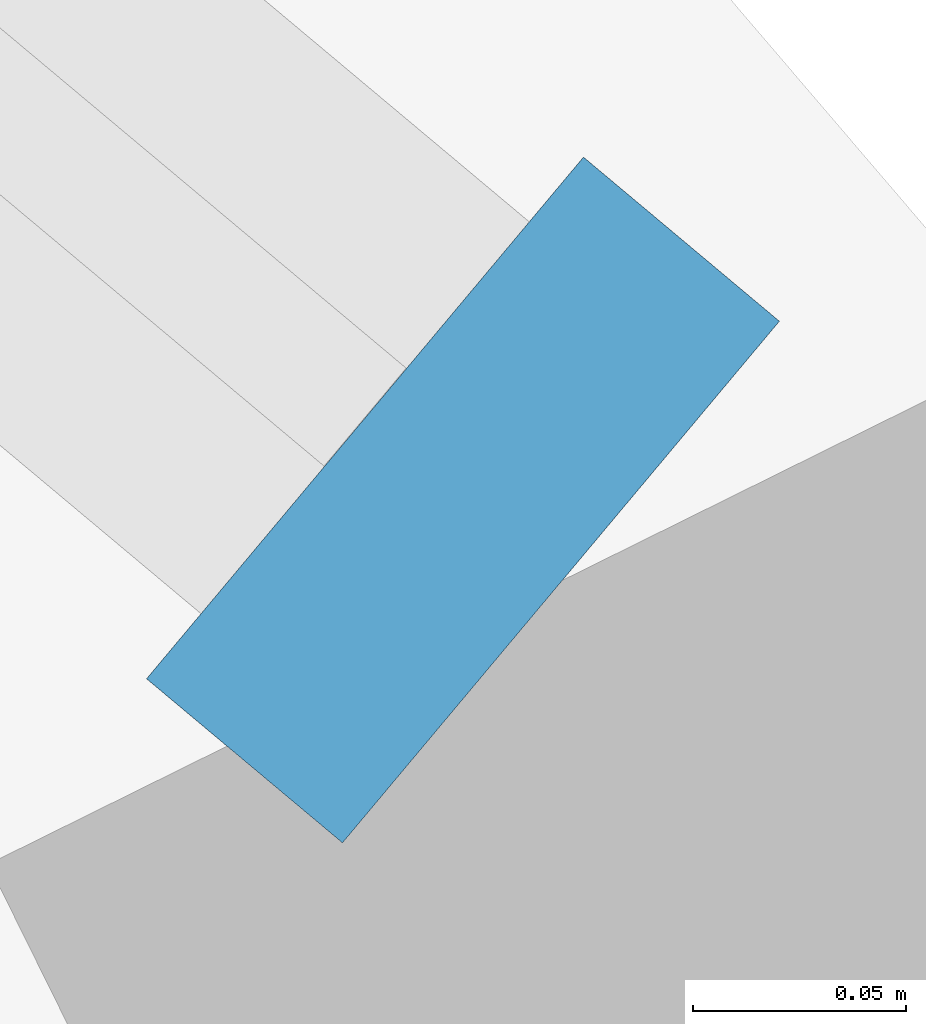
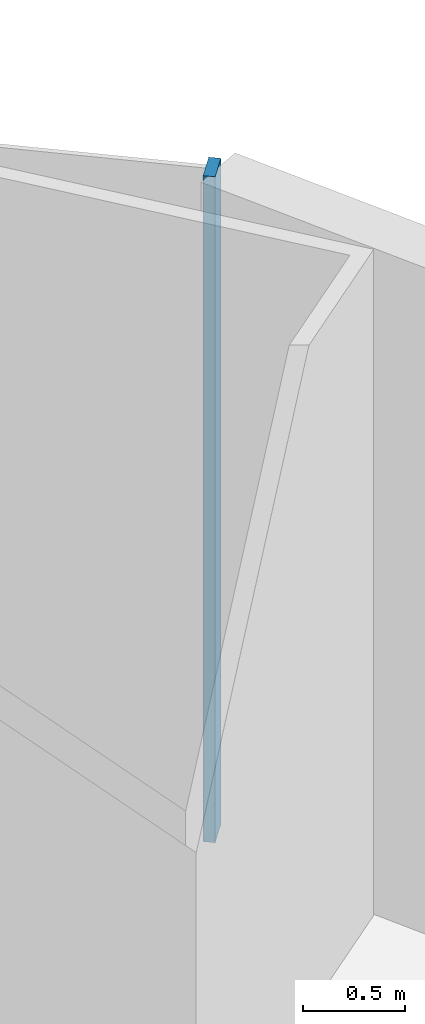
# One storey, part 12 of 23: 1 member, 1 element without a shape of its own.
"""IFC4 building model written with IfcOpenShell, lengths in metres."""

import ifcopenshell
import ifcopenshell.guid

model = None  # the IFC model being written
_history = None  # IfcOwnerHistory: only IFC2X3 demands one
_inside = {}  # id of a spatial element -> (the spatial element, [elements in it])
_under = {}  # id of a project, library or spatial element -> (it, [spatial elements below it])
_declared = {}  # id of a project -> (the project, [libraries it declares])
_typed = {}  # id of a type object -> (the type object, [elements of that type])
_made_of = {}  # id of a material, layer set ... -> (it, [elements and type objects made of it])


def new_model(schema):
    """Start an empty IFC model of exactly this schema.

    Asked for "IFC4X3", IfcOpenShell would pick the latest addendum, in which some entities
    have other attributes; the version numbers below select the first issue.
    IFC2X3 requires an IfcOwnerHistory on every rooted entity: one is made here for all.
    """
    global model, _history
    if schema == "IFC4X3":
        model = ifcopenshell.file(schema_version=(4, 3, 0, 0))
    else:
        model = ifcopenshell.file(schema=schema)
    _inside.clear()
    _under.clear()
    _declared.clear()
    _typed.clear()
    _made_of.clear()
    _history = None
    if model.schema == "IFC2X3":
        org = make("IfcOrganization", Name="unknown")
        user = make(
            "IfcPersonAndOrganization",
            ThePerson=make("IfcPerson", FamilyName="unknown"),
            TheOrganization=org,
        )
        app = make(
            "IfcApplication",
            ApplicationDeveloper=org,
            Version="unknown",
            ApplicationFullName="unknown",
            ApplicationIdentifier="unknown",
        )
        _history = make(
            "IfcOwnerHistory",
            OwningUser=user,
            OwningApplication=app,
            ChangeAction="ADDED",
            CreationDate=0,
        )
    return model


def make(cls, **values):
    """One entity of the class cls with the attributes given. An attribute that is None is left unset."""
    return model.create_entity(
        cls, **{name: value for name, value in values.items() if value is not None}
    )


def rooted(cls, **values):
    """An entity with a GlobalId (a new one), such as an element, a storey or a relation."""
    return make(cls, GlobalId=ifcopenshell.guid.new(), OwnerHistory=_history, **values)


def si_unit(unit_type, name, prefix=None):
    """IfcSIUnit, for example si_unit("LENGTHUNIT", "METRE", prefix="MILLI")."""
    return make("IfcSIUnit", UnitType=unit_type, Prefix=prefix, Name=name)


def assignment(units):
    """IfcUnitAssignment: the units of a project."""
    return None if units is None else make("IfcUnitAssignment", Units=units)


def point(xyz):
    """IfcCartesianPoint."""
    return None if xyz is None else make("IfcCartesianPoint", Coordinates=xyz)


def direction(xyz):
    """IfcDirection."""
    return None if xyz is None else make("IfcDirection", DirectionRatios=xyz)


def frame(location, z_axis=None, x_axis=None):
    """IfcAxis2Placement3D, a coordinate frame: its origin and axes. An axis left out is left unset."""
    return make(
        "IfcAxis2Placement3D",
        Location=point(location),
        Axis=direction(z_axis),
        RefDirection=direction(x_axis),
    )


def frame_2d(location, x_axis=None):
    """IfcAxis2Placement2D, a coordinate frame in the plane: its origin and x axis."""
    return make(
        "IfcAxis2Placement2D", Location=point(location), RefDirection=direction(x_axis)
    )


def origin():
    """The frame at (0, 0, 0) with its axes left unset."""
    return frame((0.0, 0.0, 0.0))


def origin_2d():
    """The frame at (0, 0) in the plane with its x axis left unset."""
    return frame_2d((0.0, 0.0))


def place(relative_to, where):
    """IfcLocalPlacement: puts the frame where relative to a parent placement (None: the world)."""
    return make(
        "IfcLocalPlacement", PlacementRelTo=relative_to, RelativePlacement=where
    )


def context(
    kind, dimensions, precision=None, world=None, true_north=None, identifier=None
):
    """IfcGeometricRepresentationContext, for example the 3D "Model" context."""
    return make(
        "IfcGeometricRepresentationContext",
        ContextIdentifier=identifier,
        ContextType=kind,
        CoordinateSpaceDimension=dimensions,
        Precision=precision,
        WorldCoordinateSystem=world,
        TrueNorth=true_north,
    )


def subcontext(parent, identifier, kind, view, scale=None):
    """IfcGeometricRepresentationSubContext, for example "Body" below "Model"."""
    return make(
        "IfcGeometricRepresentationSubContext",
        ContextIdentifier=identifier,
        ContextType=kind,
        ParentContext=parent,
        TargetScale=scale,
        TargetView=view,
    )


def project(units=None, contexts=None):
    """IfcProject with its units and contexts."""
    return rooted(
        "IfcProject",
        Name="project",
        RepresentationContexts=contexts,
        UnitsInContext=assignment(units),
    )


def spatial(cls, under=None, at=None, **own):
    """A site, building, storey or space (cls), placed at a placement, below another one or the project."""
    s = rooted(cls, ObjectPlacement=at, **own)
    if under is not None:
        _under.setdefault(under.id(), (under, []))[1].append(s)
    return s


def profile(cls, at=None, kind="AREA", **sizes):
    """A parametric profile (cls). Its sizes go by their IFC names, for example OverallWidth=200.0."""
    return make(cls, ProfileType=kind, Position=at, **sizes)


def rectangle(**sizes):
    """IfcRectangleProfileDef."""
    return profile("IfcRectangleProfileDef", **sizes)


def extrude(swept, where, along, depth):
    """IfcExtrudedAreaSolid: the profile swept, set in the frame where, extruded along a direction by depth."""
    return make(
        "IfcExtrudedAreaSolid",
        SweptArea=swept,
        Position=where,
        ExtrudedDirection=direction(along),
        Depth=depth,
    )


def shape(context_of_items, identifier, shape_type, items):
    """IfcShapeRepresentation: the items that make up one representation, for example the "Body"."""
    return make(
        "IfcShapeRepresentation",
        ContextOfItems=context_of_items,
        RepresentationIdentifier=identifier,
        RepresentationType=shape_type,
        Items=items,
    )


def material(Name=None, Category=None):
    """IfcMaterial."""
    return make("IfcMaterial", Name=Name, Category=Category)


def material_profile(
    of_material, cross_section, Name=None, Category=None, Priority=None
):
    """IfcMaterialProfile: a cross section and its material."""
    return make(
        "IfcMaterialProfile",
        Name=Name,
        Material=of_material,
        Profile=cross_section,
        Priority=Priority,
        Category=Category,
    )


def profile_set(profiles, Name=None, composite=None):
    """IfcMaterialProfileSet."""
    return make(
        "IfcMaterialProfileSet",
        Name=Name,
        MaterialProfiles=profiles,
        CompositeProfile=composite,
    )


def made_of(thing, what):
    """Note that an element or type object is made of a material, layer set ...; save() writes the relation."""
    if what is not None:
        _made_of.setdefault(what.id(), (what, []))[1].append(thing)
    return thing


def type_object(cls, material=None, **own):
    """A type object (cls), such as IfcWallType, which elements share."""
    return made_of(rooted(cls, **own), material)


def element(
    cls,
    number,
    at=None,
    inside=None,
    cuts=None,
    type_object=None,
    material=None,
    context=None,
    identifier="Body",
    shape_type=None,
    held_by="IfcProductDefinitionShape",
    body=None,
    shapes=None,
    **own,
):
    """One element of the class cls, such as IfcWall. Its Tag is "e" and its number.

    at: its placement. inside: the storey or other place that contains it. cuts: it is an
    opening in that element (IfcRelVoidsElement). A single representation is given by context,
    identifier, shape_type and body (its items); several are given by shapes. held_by: the class
    of the entity that holds the representations. save() writes the other relations.
    """
    e = rooted(cls, Tag="e%d" % number, ObjectPlacement=at, **own)
    if body is not None:
        shapes = [shape(context, identifier, shape_type, body)]
    if shapes is not None:
        e.Representation = make(held_by, Representations=shapes)
    if inside is not None:
        _inside.setdefault(inside.id(), (inside, []))[1].append(e)
    if cuts is not None:
        rooted(
            "IfcRelVoidsElement", RelatingBuildingElement=cuts, RelatedOpeningElement=e
        )
    if type_object is not None:
        _typed.setdefault(type_object.id(), (type_object, []))[1].append(e)
    return made_of(e, material)


def aggregate(whole, parts):
    """IfcRelAggregates: a whole, such as a stair, and the parts it consists of."""
    return rooted("IfcRelAggregates", RelatingObject=whole, RelatedObjects=parts)


def save(model, path):
    """Write the relations noted so far, then the file.

    IfcRelAggregates (storeys below a building ...), IfcRelContainedInSpatialStructure (elements
    in a storey), IfcRelDefinesByType, IfcRelAssociatesMaterial and IfcRelDeclares: one each for
    every whole, place, type object, material and project.
    """
    for whole, parts in _under.values():
        aggregate(whole, parts)
    for where, things in _inside.values():
        rooted(
            "IfcRelContainedInSpatialStructure",
            RelatedElements=things,
            RelatingStructure=where,
        )
    for kind, things in _typed.values():
        rooted("IfcRelDefinesByType", RelatedObjects=things, RelatingType=kind)
    for what, things in _made_of.values():
        rooted("IfcRelAssociatesMaterial", RelatedObjects=things, RelatingMaterial=what)
    for by, libraries in _declared.values():
        rooted("IfcRelDeclares", RelatingContext=by, RelatedDefinitions=libraries)
    model.write(path)


model = new_model("IFC4")

# Units and contexts
model_context = context("Model", 3, precision=1e-05, world=origin(), true_north=direction((0.0, 1.0)))
body_context = subcontext(model_context, "Body", "Model", "MODEL_VIEW")
ifc_project = project(units=[si_unit("LENGTHUNIT", "METRE"), si_unit("AREAUNIT", "SQUARE_METRE"), si_unit("VOLUMEUNIT", "CUBIC_METRE"), si_unit("PLANEANGLEUNIT", "RADIAN"), si_unit("MASSUNIT", "GRAM", prefix="KILO")], contexts=[model_context])

# Site, building, storey
site_placement = place(None, origin())
site = spatial("IfcSite", under=ifc_project, at=site_placement, CompositionType="ELEMENT")
building_placement = place(site_placement, origin())
building = spatial("IfcBuilding", under=site, at=building_placement, Name="Marenthal Gate Tower", CompositionType="ELEMENT")
storey_placement = place(building_placement, frame((0.0, 0.0, 62.050048828125)))
storey = spatial("IfcBuildingStorey", under=building, at=storey_placement, Name="L11", CompositionType="ELEMENT", Elevation=62.050048828125)

# Curtain wall, member
ifc_material_1 = material(Name="Aluminium and glass", Category="aluminium")
curtain_wall_type = type_object("IfcCurtainWallType", Name="Curtain wall typical low", PredefinedType="NOTDEFINED", material=ifc_material_1)
curtain_wall_placement = place(storey_placement, origin())
curtain_wall = element("IfcCurtainWall", 1, at=curtain_wall_placement, inside=storey, type_object=curtain_wall_type, Name="Curtain wall L11 bay 2", PredefinedType="NOTDEFINED")
ifc_material_2 = material(Name="Aluminium", Category="aluminium")
ifc_material_profile = material_profile(ifc_material_2, rectangle(XDim=0.159912109375, YDim=0.06005859375, at=origin_2d()), Name="60x160 aluminium mullion")
ifc_profile_set = profile_set([ifc_material_profile], Name="Aluminium")
member_type = type_object("IfcMemberType", Name="Mullion 60x160 typical low", PredefinedType="MULLION", material=ifc_profile_set)
member_placement = place(storey_placement, frame((29.90576171875, 16.76904296875, 0.0), z_axis=(0.0, 0.0, 1.0), x_axis=(-0.642111737517, -0.766611059497, 0.0)))
member = element("IfcMember", 2, at=member_placement, type_object=member_type, Name="Mullion L11 bay 2.1", PredefinedType="MULLION", context=body_context, shape_type="SweptSolid", body=[
    extrude(rectangle(XDim=0.159912109375, YDim=0.06005859375, at=origin_2d()), origin(), (0.0, 0.0, 1.0), 3.969970703125),
])
aggregate(curtain_wall, [member])

save(model, "model.ifc")
